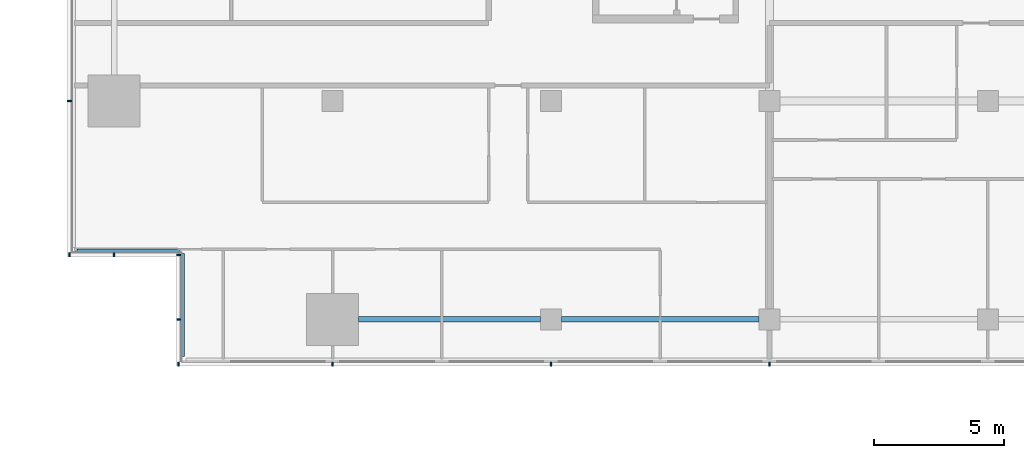
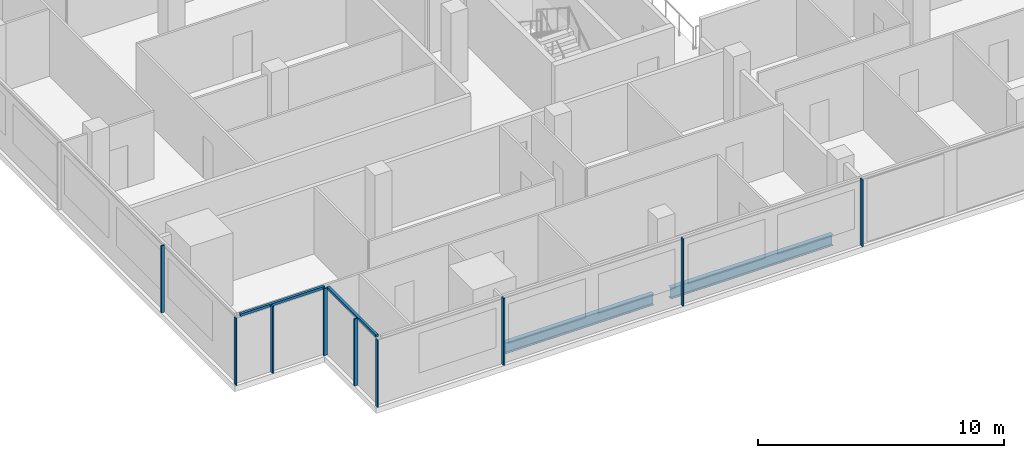
# One storey, part 2 of 30: 11 members, 2 beams, 4 elements without a shape of their own.
"""IFC4 building model written with IfcOpenShell, lengths in metres."""

from ifc_helpers import new_model, si_unit, direction, frame, origin, origin_2d, place, context, subcontext, project, spatial, rectangle, i_section, extrude, material, material_profile, profile_set, type_object, element, aggregate, save


model = new_model("IFC4")

# Units and contexts
model_context = context("Model", 3, precision=1e-05, world=origin(), true_north=direction((0.0, 1.0)))
body_context = subcontext(model_context, "Body", "Model", "MODEL_VIEW")
ifc_project = project(units=[si_unit("LENGTHUNIT", "METRE"), si_unit("AREAUNIT", "SQUARE_METRE"), si_unit("VOLUMEUNIT", "CUBIC_METRE"), si_unit("PLANEANGLEUNIT", "RADIAN"), si_unit("MASSUNIT", "GRAM", prefix="KILO")], contexts=[model_context])

# Site, building, storey
site_placement = place(None, origin())
site = spatial("IfcSite", under=ifc_project, at=site_placement, CompositionType="ELEMENT")
building_placement = place(site_placement, origin())
building = spatial("IfcBuilding", under=site, at=building_placement, Name="Saffron Gate Tower", CompositionType="ELEMENT")
storey_placement = place(building_placement, frame((0.0, 0.0, 127.64990234375)))
storey = spatial("IfcBuildingStorey", under=building, at=storey_placement, Name="L30", CompositionType="ELEMENT", Elevation=127.64990234375)

# Beams
ifc_material_1 = material(Name="Structural steel S355", Category="steel")
ifc_material_profile_1 = material_profile(ifc_material_1, i_section(OverallWidth=0.2099609375, OverallDepth=0.550048828125, WebThickness=0.010986328125, FlangeThickness=0.01708984375, FilletRadius=0.02392578125, at=origin_2d()))
ifc_profile_set_1 = profile_set([ifc_material_profile_1], Name="Structural steel S355")
beam_type = type_object("IfcBeamType", Name="B13 IPE 550", PredefinedType="SPANDREL", material=ifc_profile_set_1)
beam_1_placement = place(storey_placement, frame((59.199951171875, 31.800048828125, -0.554931640625), z_axis=(1.0, 0.0, 0.0), x_axis=(0.0, 1.0, 0.0)))
element("IfcBeam", 1, at=beam_1_placement, inside=storey, type_object=beam_type, Name="B13 SPANDREL BEAM", PredefinedType="SPANDREL", context=body_context, shape_type="SweptSolid", body=[
    extrude(i_section(OverallWidth=0.2099609375, OverallDepth=0.550048828125, WebThickness=0.010986328125, FlangeThickness=0.01708984375, FilletRadius=0.02392578125, at=origin_2d()), origin(), (0.0, 0.0, 1.0), 7.0),
])
beam_2_placement = place(storey_placement, frame((67.0, 31.800048828125, -0.554931640625), z_axis=(1.0, 0.0, 0.0), x_axis=(0.0, 1.0, 0.0)))
element("IfcBeam", 2, at=beam_2_placement, inside=storey, type_object=beam_type, Name="B13 SPANDREL BEAM", PredefinedType="SPANDREL", context=body_context, shape_type="SweptSolid", body=[
    extrude(i_section(OverallWidth=0.2099609375, OverallDepth=0.550048828125, WebThickness=0.010986328125, FlangeThickness=0.01708984375, FilletRadius=0.02392578125, at=origin_2d()), origin(), (0.0, 0.0, 1.0), 7.60009765625),
])

# Curtain wall, members
ifc_material_2 = material(Name="Aluminium, bronze anodised", Category="aluminium")
curtain_wall_type_1 = type_object("IfcCurtainWallType", Name="CWS1 curtain wall front facade", PredefinedType="NOTDEFINED", material=ifc_material_2)
curtain_wall_1_placement = place(storey_placement, origin())
curtain_wall_1 = element("IfcCurtainWall", 3, at=curtain_wall_1_placement, inside=storey, type_object=curtain_wall_type_1, Name="CWS1 run 1", PredefinedType="NOTDEFINED")
ifc_material_profile_2 = material_profile(ifc_material_2, rectangle(XDim=0.159912109375, YDim=0.06005859375, at=origin_2d()))
ifc_profile_set_2 = profile_set([ifc_material_profile_2], Name="Aluminium, bronze anodised")
member_type_1 = type_object("IfcMemberType", Name="CWS1 mullion 60x160", PredefinedType="MULLION", material=ifc_profile_set_2)
member_1_placement = place(storey_placement, frame((52.280029296875, 30.080078125, 0.0), z_axis=(0.0, 0.0, 1.0), x_axis=(0.0, 1.0, 0.0)))
member_1 = element("IfcMember", 4, at=member_1_placement, type_object=member_type_1, Name="CWS1 mullion 1", PredefinedType="MULLION", context=body_context, shape_type="SweptSolid", body=[
    extrude(rectangle(XDim=0.159912109375, YDim=0.06005859375, at=origin_2d()), origin(), (0.0, 0.0, 1.0), 3.320068359375),
])
member_2_placement = place(storey_placement, frame((58.199951171875, 30.080078125, 0.0), z_axis=(0.0, 0.0, 1.0), x_axis=(0.0, 1.0, 0.0)))
member_2 = element("IfcMember", 5, at=member_2_placement, type_object=member_type_1, Name="CWS1 mullion 2", PredefinedType="MULLION", context=body_context, shape_type="SweptSolid", body=[
    extrude(rectangle(XDim=0.159912109375, YDim=0.06005859375, at=origin_2d()), origin(), (0.0, 0.0, 1.0), 3.320068359375),
])
member_3_placement = place(storey_placement, frame((66.60009765625, 30.080078125, 0.0), z_axis=(0.0, 0.0, 1.0), x_axis=(0.0, 1.0, 0.0)))
member_3 = element("IfcMember", 6, at=member_3_placement, type_object=member_type_1, Name="CWS1 mullion 3", PredefinedType="MULLION", context=body_context, shape_type="SweptSolid", body=[
    extrude(rectangle(XDim=0.159912109375, YDim=0.06005859375, at=origin_2d()), origin(), (0.0, 0.0, 1.0), 3.320068359375),
])
member_4_placement = place(storey_placement, frame((75.0, 30.080078125, 0.0), z_axis=(0.0, 0.0, 1.0), x_axis=(0.0, 1.0, 0.0)))
member_4 = element("IfcMember", 7, at=member_4_placement, type_object=member_type_1, Name="CWS1 mullion 4", PredefinedType="MULLION", context=body_context, shape_type="SweptSolid", body=[
    extrude(rectangle(XDim=0.159912109375, YDim=0.06005859375, at=origin_2d()), origin(), (0.0, 0.0, 1.0), 3.320068359375),
])
aggregate(curtain_wall_1, [member_1, member_2, member_3, member_4])

# Curtain wall, member
curtain_wall_type_2 = type_object("IfcCurtainWallType", Name="CWS2 curtain wall side facades", PredefinedType="NOTDEFINED", material=ifc_material_2)
curtain_wall_2_placement = place(storey_placement, origin())
curtain_wall_2 = element("IfcCurtainWall", 8, at=curtain_wall_2_placement, inside=storey, type_object=curtain_wall_type_2, Name="CWS2 run 10", PredefinedType="NOTDEFINED")
ifc_material_profile_3 = material_profile(ifc_material_2, rectangle(XDim=0.159912109375, YDim=0.06005859375, at=origin_2d()))
ifc_profile_set_3 = profile_set([ifc_material_profile_3], Name="Aluminium, bronze anodised")
member_type_2 = type_object("IfcMemberType", Name="CWS2 mullion 60x160", PredefinedType="MULLION", material=ifc_profile_set_3)
member_5_placement = place(storey_placement, frame((48.080078125, 40.199951171875, 0.0), z_axis=(0.0, 0.0, 1.0), x_axis=(1.0, 0.0, 0.0)))
member_5 = element("IfcMember", 9, at=member_5_placement, type_object=member_type_2, Name="CWS2 mullion 5", PredefinedType="MULLION", context=body_context, shape_type="SweptSolid", body=[
    extrude(rectangle(XDim=0.159912109375, YDim=0.06005859375, at=origin_2d()), origin(), (0.0, 0.0, 1.0), 3.320068359375),
])
aggregate(curtain_wall_2, [member_5])

curtain_wall_type_3 = type_object("IfcCurtainWallType", Name="CWS4 curtain wall corner returns", PredefinedType="NOTDEFINED", material=ifc_material_2)
curtain_wall_3_placement = place(storey_placement, origin())
curtain_wall_3 = element("IfcCurtainWall", 10, at=curtain_wall_3_placement, inside=storey, type_object=curtain_wall_type_3, Name="CWS4 run 11", PredefinedType="NOTDEFINED")
ifc_material_profile_4 = material_profile(ifc_material_2, rectangle(XDim=0.1201171875, YDim=0.1201171875, at=origin_2d()))
ifc_profile_set_4 = profile_set([ifc_material_profile_4], Name="Aluminium, bronze anodised")
member_type_3 = type_object("IfcMemberType", Name="CWS4 head transom", PredefinedType="USERDEFINED", material=ifc_profile_set_4)
member_6_placement = place(storey_placement, frame((48.367919921875, 34.447998046875, 3.260009765625), z_axis=(1.0, 0.0, 0.0), x_axis=(0.0, 1.0, 0.0)))
member_6 = element("IfcMember", 11, at=member_6_placement, type_object=member_type_3, Name="CWS4 head transom", ObjectType="TRANSOM", PredefinedType="USERDEFINED", context=body_context, shape_type="SweptSolid", body=[
    extrude(rectangle(XDim=0.1201171875, YDim=0.1201171875, at=origin_2d()), origin(), (0.0, 0.0, 1.0), 3.9599609375),
])

curtain_wall_4_placement = place(storey_placement, origin())
curtain_wall_4 = element("IfcCurtainWall", 12, at=curtain_wall_4_placement, inside=storey, type_object=curtain_wall_type_3, Name="CWS4 run 12", PredefinedType="NOTDEFINED")
member_7_placement = place(storey_placement, frame((52.447998046875, 34.327880859375, 3.260009765625), z_axis=(0.0, -1.0, 0.0), x_axis=(1.0, 0.0, 0.0)))
member_7 = element("IfcMember", 13, at=member_7_placement, type_object=member_type_3, Name="CWS4 head transom", ObjectType="TRANSOM", PredefinedType="USERDEFINED", context=body_context, shape_type="SweptSolid", body=[
    extrude(rectangle(XDim=0.1201171875, YDim=0.1201171875, at=origin_2d()), origin(), (0.0, 0.0, 1.0), 3.9599609375),
])

# Member
ifc_material_profile_5 = material_profile(ifc_material_2, rectangle(XDim=0.159912109375, YDim=0.06005859375, at=origin_2d()))
ifc_profile_set_5 = profile_set([ifc_material_profile_5], Name="Aluminium, bronze anodised")
member_type_4 = type_object("IfcMemberType", Name="CWS4 mullion 60x160", PredefinedType="MULLION", material=ifc_profile_set_5)
member_8_placement = place(storey_placement, frame((48.080078125, 34.280029296875, 0.0), z_axis=(0.0, 0.0, 1.0), x_axis=(0.0, 1.0, 0.0)))
member_8 = element("IfcMember", 14, at=member_8_placement, type_object=member_type_4, Name="CWS4 mullion 1", PredefinedType="MULLION", context=body_context, shape_type="SweptSolid", body=[
    extrude(rectangle(XDim=0.159912109375, YDim=0.06005859375, at=origin_2d()), origin(), (0.0, 0.0, 1.0), 3.320068359375),
])

member_9_placement = place(storey_placement, frame((49.800048828125, 34.280029296875, 0.0), z_axis=(0.0, 0.0, 1.0), x_axis=(0.0, 1.0, 0.0)))
member_9 = element("IfcMember", 15, at=member_9_placement, type_object=member_type_4, Name="CWS4 mullion 2", PredefinedType="MULLION", context=body_context, shape_type="SweptSolid", body=[
    extrude(rectangle(XDim=0.159912109375, YDim=0.06005859375, at=origin_2d()), origin(), (0.0, 0.0, 1.0), 3.320068359375),
])

aggregate(curtain_wall_3, [member_8, member_9, member_6])

member_10_placement = place(storey_placement, frame((52.280029296875, 34.280029296875, 0.0), z_axis=(0.0, 0.0, 1.0), x_axis=(1.0, 0.0, 0.0)))
member_10 = element("IfcMember", 16, at=member_10_placement, type_object=member_type_4, Name="CWS4 mullion 1", PredefinedType="MULLION", context=body_context, shape_type="SweptSolid", body=[
    extrude(rectangle(XDim=0.159912109375, YDim=0.06005859375, at=origin_2d()), origin(), (0.0, 0.0, 1.0), 3.320068359375),
])

member_11_placement = place(storey_placement, frame((52.280029296875, 31.800048828125, 0.0), z_axis=(0.0, 0.0, 1.0), x_axis=(1.0, 0.0, 0.0)))
member_11 = element("IfcMember", 17, at=member_11_placement, type_object=member_type_4, Name="CWS4 mullion 2", PredefinedType="MULLION", context=body_context, shape_type="SweptSolid", body=[
    extrude(rectangle(XDim=0.159912109375, YDim=0.06005859375, at=origin_2d()), origin(), (0.0, 0.0, 1.0), 3.320068359375),
])

aggregate(curtain_wall_4, [member_10, member_11, member_7])

save(model, "model.ifc")
